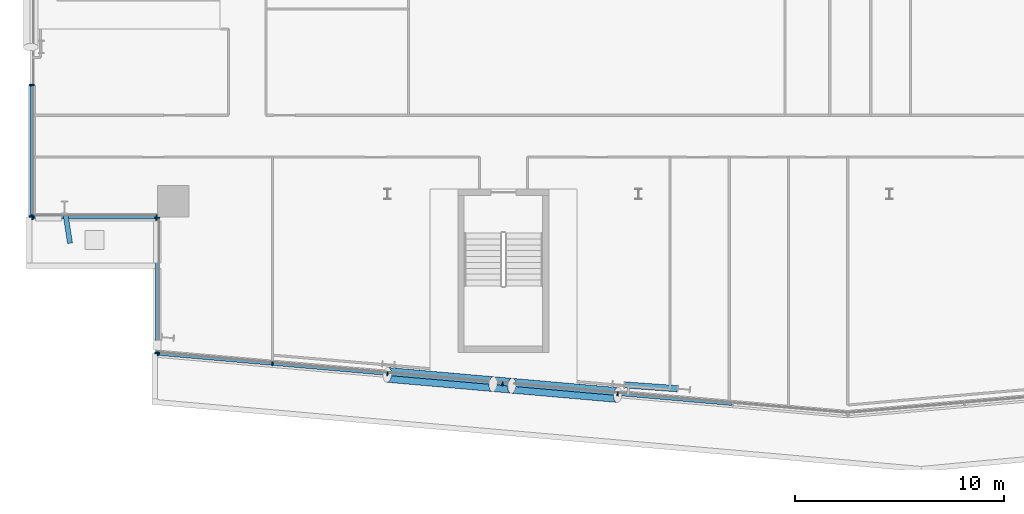
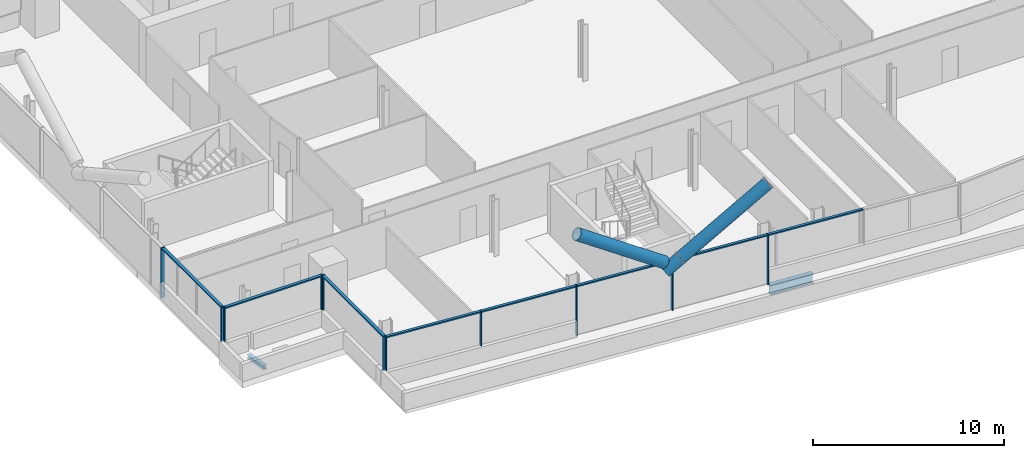
# One storey, part 6 of 30: 22 members, 2 beams, 4 elements without a shape of their own.
"""IFC4 building model written with IfcOpenShell, lengths in metres."""

from ifc_helpers import new_model, si_unit, direction, frame, origin, origin_2d, place, context, subcontext, project, spatial, rectangle, hollow_circle, i_section, extrude, material, material_profile, profile_set, type_object, element, aggregate, save


model = new_model("IFC4")

# Units and contexts
model_context = context("Model", 3, precision=1e-05, world=origin(), true_north=direction((0.0, 1.0)))
body_context = subcontext(model_context, "Body", "Model", "MODEL_VIEW")
ifc_project = project(units=[si_unit("LENGTHUNIT", "METRE"), si_unit("AREAUNIT", "SQUARE_METRE"), si_unit("VOLUMEUNIT", "CUBIC_METRE"), si_unit("PLANEANGLEUNIT", "RADIAN"), si_unit("MASSUNIT", "GRAM", prefix="KILO")], contexts=[model_context])

# Site, building, storey
site_placement = place(None, origin())
site = spatial("IfcSite", under=ifc_project, at=site_placement, CompositionType="ELEMENT")
building_placement = place(site_placement, origin())
building = spatial("IfcBuilding", under=site, at=building_placement, Name="Wharfspan Tower", CompositionType="ELEMENT")
storey_placement = place(building_placement, frame((0.0, 0.0, 151.899902)))
storey = spatial("IfcBuildingStorey", under=building, at=storey_placement, Name="L36", CompositionType="ELEMENT", Elevation=151.899902)

# Member
ifc_material_1 = material(Name="Steel S460NH", Category="steel")
ifc_material_profile_1 = material_profile(ifc_material_1, hollow_circle(Radius=0.355469, WallThickness=0.035889, at=origin_2d()))
ifc_profile_set_1 = profile_set([ifc_material_profile_1], Name="Steel S460NH")
member_type_1 = type_object("IfcMemberType", Name="Brace node tie CHS 711x36", PredefinedType="STRUT", material=ifc_profile_set_1)
member_1_placement = place(storey_placement, frame((29.051758, 2.415527, 2.609863), z_axis=(0.834463, -0.073041, 0.546202), x_axis=(0.087195, 0.996189, 3e-06)))
element("IfcMember", 1, at=member_1_placement, inside=storey, type_object=member_type_1, Name="Brace node tie L36 S1", PredefinedType="STRUT", context=body_context, shape_type="SweptSolid", body=[
    extrude(hollow_circle(Radius=0.355469, WallThickness=0.035889, at=origin_2d()), origin(), (0.0, 0.0, 1.0), 1.062988),
])

# Beams
ifc_material_2 = material(Name="Steel S355J2", Category="steel")
ifc_material_profile_2 = material_profile(ifc_material_2, i_section(OverallWidth=0.300049, OverallDepth=0.600098, WebThickness=0.015381, FlangeThickness=0.030029, FilletRadius=0.0271, at=origin_2d()))
ifc_profile_set_2 = profile_set([ifc_material_profile_2], Name="Steel S355J2")
beam_type_1 = type_object("IfcBeamType", Name="Edge beam HEB 600", PredefinedType="SPANDREL", material=ifc_profile_set_2)
beam_1_placement = place(storey_placement, frame((35.344482, 2.376709, -0.699951), z_axis=(0.997423, -0.07175, 0.0), x_axis=(0.07175, 0.997423, 0.0)))
element("IfcBeam", 2, at=beam_1_placement, inside=storey, type_object=beam_type_1, Name="Edge beam S1 L36 PS1.3 to PS1.4", PredefinedType="SPANDREL", context=body_context, shape_type="SweptSolid", body=[
    extrude(i_section(OverallWidth=0.300049, OverallDepth=0.600098, WebThickness=0.015381, FlangeThickness=0.030029, FilletRadius=0.0271, at=origin_2d()), origin(), (0.0, 0.0, 1.0), 2.518066),
])
ifc_material_profile_3 = material_profile(ifc_material_2, i_section(OverallWidth=0.23999, OverallDepth=0.23999, WebThickness=0.01001, FlangeThickness=0.01709, FilletRadius=0.020996, at=origin_2d()))
ifc_profile_set_3 = profile_set([ifc_material_profile_3], Name="Steel S355J2")
beam_type_2 = type_object("IfcBeamType", Name="Ledge edge beam HEB 240", PredefinedType="BEAM", material=ifc_profile_set_3)
beam_2_placement = place(storey_placement, frame((8.821533, 9.153564, -0.52002), z_axis=(-0.151599, 0.988442, 0.0), x_axis=(-0.988442, -0.151599, 0.0)))
element("IfcBeam", 3, at=beam_2_placement, inside=storey, type_object=beam_type_2, Name="Ledge edge beam", PredefinedType="BEAM", context=body_context, shape_type="SweptSolid", body=[
    extrude(i_section(OverallWidth=0.23999, OverallDepth=0.23999, WebThickness=0.01001, FlangeThickness=0.01709, FilletRadius=0.020996, at=origin_2d()), origin(), (0.0, 0.0, 1.0), 1.402588),
])

# Curtain wall, members
ifc_material_3 = material(Name="Aluminium 6063-T6", Category="aluminium")
curtain_wall_type_1 = type_object("IfcCurtainWallType", Name="CURTAIN WALL FACETED FRONT", PredefinedType="NOTDEFINED", material=ifc_material_3)
curtain_wall_1_placement = place(storey_placement, origin())
curtain_wall_1 = element("IfcCurtainWall", 4, at=curtain_wall_1_placement, inside=storey, type_object=curtain_wall_type_1, Name="Curtain wall S1", PredefinedType="NOTDEFINED")
ifc_material_profile_4 = material_profile(ifc_material_3, rectangle(XDim=0.199951, YDim=0.060059, at=origin_2d()))
ifc_profile_set_4 = profile_set([ifc_material_profile_4], Name="Aluminium 6063-T6")
member_type_2 = type_object("IfcMemberType", Name="MULLION FACETED FRONT 60x200", PredefinedType="MULLION", material=ifc_profile_set_4)
member_2_placement = place(storey_placement, frame((13.029785, 3.872559, 1.0), z_axis=(0.0, 0.0, 1.0), x_axis=(0.087156, 0.996198, 0.0)))
member_2 = element("IfcMember", 5, at=member_2_placement, type_object=member_type_2, Name="Curtain wall S1 mullion 1", PredefinedType="MULLION", context=body_context, shape_type="SweptSolid", body=[
    extrude(rectangle(XDim=0.199951, YDim=0.060059, at=origin_2d()), origin(), (0.0, 0.0, 1.0), 2.200195),
])
member_3_placement = place(storey_placement, frame((18.5, 3.393799, 1.0), z_axis=(0.0, 0.0, 1.0), x_axis=(0.087156, 0.996198, 0.0)))
member_3 = element("IfcMember", 6, at=member_3_placement, type_object=member_type_2, Name="Curtain wall S1 mullion 2", PredefinedType="MULLION", context=body_context, shape_type="SweptSolid", body=[
    extrude(rectangle(XDim=0.199951, YDim=0.060059, at=origin_2d()), origin(), (0.0, 0.0, 1.0), 2.200195),
])
member_4_placement = place(storey_placement, frame((24.0, 2.912598, 0.0), z_axis=(0.0, 0.0, 1.0), x_axis=(0.087156, 0.996198, 0.0)))
member_4 = element("IfcMember", 7, at=member_4_placement, type_object=member_type_2, Name="Curtain wall S1 mullion 3", PredefinedType="MULLION", context=body_context, shape_type="SweptSolid", body=[
    extrude(rectangle(XDim=0.199951, YDim=0.060059, at=origin_2d()), origin(), (0.0, 0.0, 1.0), 3.200195),
])
member_5_placement = place(storey_placement, frame((29.5, 2.431396, 0.0), z_axis=(0.0, 0.0, 1.0), x_axis=(0.087156, 0.996198, 0.0)))
member_5 = element("IfcMember", 8, at=member_5_placement, type_object=member_type_2, Name="Curtain wall S1 mullion 4", PredefinedType="MULLION", context=body_context, shape_type="SweptSolid", body=[
    extrude(rectangle(XDim=0.199951, YDim=0.060059, at=origin_2d()), origin(), (0.0, 0.0, 1.0), 3.200195),
])
member_6_placement = place(storey_placement, frame((35.0, 1.950195, 0.0), z_axis=(0.0, 0.0, 1.0), x_axis=(0.087156, 0.996198, 0.0)))
member_6 = element("IfcMember", 9, at=member_6_placement, type_object=member_type_2, Name="Curtain wall S1 mullion 5", PredefinedType="MULLION", context=body_context, shape_type="SweptSolid", body=[
    extrude(rectangle(XDim=0.199951, YDim=0.060059, at=origin_2d()), origin(), (0.0, 0.0, 1.0), 3.200195),
])

curtain_wall_type_2 = type_object("IfcCurtainWallType", Name="CURTAIN WALL PROW AND END", PredefinedType="NOTDEFINED", material=ifc_material_3)
curtain_wall_2_placement = place(storey_placement, origin())
curtain_wall_2 = element("IfcCurtainWall", 10, at=curtain_wall_2_placement, inside=storey, type_object=curtain_wall_type_2, Name="Curtain wall W", PredefinedType="NOTDEFINED")
ifc_material_profile_5 = material_profile(ifc_material_3, rectangle(XDim=0.23999, YDim=0.060059, at=origin_2d()))
ifc_profile_set_5 = profile_set([ifc_material_profile_5], Name="Aluminium 6063-T6")
member_type_3 = type_object("IfcMemberType", Name="MULLION PROW AND END 60x240", PredefinedType="MULLION", material=ifc_profile_set_5)
member_7_placement = place(storey_placement, frame((7.0, 16.719971, 0.0), z_axis=(0.0, 0.0, 1.0), x_axis=(1.0, 0.0, 0.0)))
member_7 = element("IfcMember", 11, at=member_7_placement, type_object=member_type_3, Name="Curtain wall W mullion 5", PredefinedType="MULLION", context=body_context, shape_type="SweptSolid", body=[
    extrude(rectangle(XDim=0.23999, YDim=0.060059, at=origin_2d()), origin(), (0.0, 0.0, 1.0), 3.200195),
])
member_8_placement = place(storey_placement, frame((7.0, 10.429932, 1.0), z_axis=(0.0, 0.0, 1.0), x_axis=(1.0, 0.0, 0.0)))
member_8 = element("IfcMember", 12, at=member_8_placement, type_object=member_type_3, Name="Curtain wall W mullion 6", PredefinedType="MULLION", context=body_context, shape_type="SweptSolid", body=[
    extrude(rectangle(XDim=0.23999, YDim=0.060059, at=origin_2d()), origin(), (0.0, 0.0, 1.0), 2.200195),
])

curtain_wall_3_placement = place(storey_placement, origin())
curtain_wall_3 = element("IfcCurtainWall", 13, at=curtain_wall_3_placement, inside=storey, type_object=curtain_wall_type_2, Name="Curtain wall NFW-H", PredefinedType="NOTDEFINED")
member_9_placement = place(storey_placement, frame((7.030029, 10.399902, 1.0), z_axis=(0.0, 0.0, 1.0), x_axis=(0.0, 1.0, 0.0)))
member_9 = element("IfcMember", 14, at=member_9_placement, type_object=member_type_3, Name="Curtain wall NFW-H mullion 1", PredefinedType="MULLION", context=body_context, shape_type="SweptSolid", body=[
    extrude(rectangle(XDim=0.23999, YDim=0.060059, at=origin_2d()), origin(), (0.0, 0.0, 1.0), 2.200195),
])
member_10_placement = place(storey_placement, frame((12.969971, 10.399902, 1.0), z_axis=(0.0, 0.0, 1.0), x_axis=(0.0, 1.0, 0.0)))
member_10 = element("IfcMember", 15, at=member_10_placement, type_object=member_type_3, Name="Curtain wall NFW-H mullion 2", PredefinedType="MULLION", context=body_context, shape_type="SweptSolid", body=[
    extrude(rectangle(XDim=0.23999, YDim=0.060059, at=origin_2d()), origin(), (0.0, 0.0, 1.0), 2.200195),
])

curtain_wall_4_placement = place(storey_placement, origin())
curtain_wall_4 = element("IfcCurtainWall", 16, at=curtain_wall_4_placement, inside=storey, type_object=curtain_wall_type_2, Name="Curtain wall NFW-V", PredefinedType="NOTDEFINED")
member_11_placement = place(storey_placement, frame((13.0, 10.370117, 1.0), z_axis=(0.0, 0.0, 1.0), x_axis=(1.0, 0.0, 0.0)))
member_11 = element("IfcMember", 17, at=member_11_placement, type_object=member_type_3, Name="Curtain wall NFW-V mullion 1", PredefinedType="MULLION", context=body_context, shape_type="SweptSolid", body=[
    extrude(rectangle(XDim=0.23999, YDim=0.060059, at=origin_2d()), origin(), (0.0, 0.0, 1.0), 2.200195),
])
member_12_placement = place(storey_placement, frame((13.0, 3.905029, 1.0), z_axis=(0.0, 0.0, 1.0), x_axis=(1.0, 0.0, 0.0)))
member_12 = element("IfcMember", 18, at=member_12_placement, type_object=member_type_3, Name="Curtain wall NFW-V mullion 2", PredefinedType="MULLION", context=body_context, shape_type="SweptSolid", body=[
    extrude(rectangle(XDim=0.23999, YDim=0.060059, at=origin_2d()), origin(), (0.0, 0.0, 1.0), 2.200195),
])

# Members
ifc_material_profile_6 = material_profile(ifc_material_1, hollow_circle(Radius=0.355469, WallThickness=0.035889, at=origin_2d()))
ifc_profile_set_6 = profile_set([ifc_material_profile_6], Name="Steel S460NH")
member_type_4 = type_object("IfcMemberType", Name="Mega brace CHS 711x36", PredefinedType="BRACE", material=ifc_profile_set_6)
for number, where, z_axis, x_axis, name in (
    (19, (29.947021, 2.337158, 3.195801), (0.834469, -0.073006, 0.546197), (0.087156, 0.996198, -1e-06), "Mega brace S1 L36 part 2"),
    (20, (29.043213, 2.41626, 3.195801), (-0.834469, 0.073006, 0.546197), (-0.087156, -0.996198, -1e-06), "Mega brace S1 L36 part 4"),
):
    element("IfcMember", number, at=place(storey_placement, frame(where, z_axis=z_axis, x_axis=x_axis)), inside=storey, type_object=member_type_4, Name=name, PredefinedType="BRACE", context=body_context, shape_type="SweptSolid", body=[
        extrude(hollow_circle(Radius=0.355469, WallThickness=0.035889, at=origin_2d()), origin(), (0.0, 0.0, 1.0), 6.049561),
    ])

# Member
ifc_material_profile_7 = material_profile(ifc_material_3, rectangle(XDim=0.159912, YDim=0.080078, at=origin_2d()))
ifc_profile_set_7 = profile_set([ifc_material_profile_7], Name="Aluminium 6063-T6")
member_type_5 = type_object("IfcMemberType", Name="TRANSOM FACETED FRONT 80x160", PredefinedType="USERDEFINED", material=ifc_profile_set_7)
member_13_placement = place(storey_placement, frame((13.059814, 3.869873, 3.160156), z_axis=(0.996194, -0.087163, 0.0), x_axis=(0.087163, 0.996194, 0.0)))
member_13 = element("IfcMember", 21, at=member_13_placement, type_object=member_type_5, Name="Curtain wall S1 transom 1", ObjectType="TRANSOM", PredefinedType="USERDEFINED", context=body_context, shape_type="SweptSolid", body=[
    extrude(rectangle(XDim=0.159912, YDim=0.080078, at=origin_2d()), origin(), (0.0, 0.0, 1.0), 5.431152),
])

member_14_placement = place(storey_placement, frame((18.529785, 3.391357, 3.160156), z_axis=(0.996193, -0.087174, 0.0), x_axis=(0.087174, 0.996193, 0.0)))
member_14 = element("IfcMember", 22, at=member_14_placement, type_object=member_type_5, Name="Curtain wall S1 transom 2", ObjectType="TRANSOM", PredefinedType="USERDEFINED", context=body_context, shape_type="SweptSolid", body=[
    extrude(rectangle(XDim=0.159912, YDim=0.080078, at=origin_2d()), origin(), (0.0, 0.0, 1.0), 5.461182),
])

member_15_placement = place(storey_placement, frame((24.029785, 2.910156, 3.160156), z_axis=(0.996193, -0.087174, 0.0), x_axis=(0.087174, 0.996193, 0.0)))
member_15 = element("IfcMember", 23, at=member_15_placement, type_object=member_type_5, Name="Curtain wall S1 transom 3", ObjectType="TRANSOM", PredefinedType="USERDEFINED", context=body_context, shape_type="SweptSolid", body=[
    extrude(rectangle(XDim=0.159912, YDim=0.080078, at=origin_2d()), origin(), (0.0, 0.0, 1.0), 5.461182),
])

member_16_placement = place(storey_placement, frame((29.529785, 2.428955, 3.160156), z_axis=(0.996193, -0.087174, 0.0), x_axis=(0.087174, 0.996193, 0.0)))
member_16 = element("IfcMember", 24, at=member_16_placement, type_object=member_type_5, Name="Curtain wall S1 transom 4", ObjectType="TRANSOM", PredefinedType="USERDEFINED", context=body_context, shape_type="SweptSolid", body=[
    extrude(rectangle(XDim=0.159912, YDim=0.080078, at=origin_2d()), origin(), (0.0, 0.0, 1.0), 5.461182),
])

member_17_placement = place(storey_placement, frame((35.029785, 1.947754, 3.160156), z_axis=(0.996193, -0.087174, 0.0), x_axis=(0.087174, 0.996193, 0.0)))
member_17 = element("IfcMember", 25, at=member_17_placement, type_object=member_type_5, Name="Curtain wall S1 transom 5", ObjectType="TRANSOM", PredefinedType="USERDEFINED", context=body_context, shape_type="SweptSolid", body=[
    extrude(rectangle(XDim=0.159912, YDim=0.080078, at=origin_2d()), origin(), (0.0, 0.0, 1.0), 5.461182),
])

aggregate(curtain_wall_1, [member_2, member_3, member_4, member_5, member_6, member_13, member_14, member_15, member_16, member_17])

ifc_material_profile_8 = material_profile(ifc_material_3, rectangle(XDim=0.179932, YDim=0.080078, at=origin_2d()))
ifc_profile_set_8 = profile_set([ifc_material_profile_8], Name="Aluminium 6063-T6")
member_type_6 = type_object("IfcMemberType", Name="TRANSOM PROW AND END 80x180", PredefinedType="USERDEFINED", material=ifc_profile_set_8)
member_18_placement = place(storey_placement, frame((7.0, 16.689941, 3.160156), z_axis=(0.0, -1.0, 0.0), x_axis=(1.0, 0.0, 0.0)))
member_18 = element("IfcMember", 26, at=member_18_placement, type_object=member_type_6, Name="Curtain wall W transom 5", ObjectType="TRANSOM", PredefinedType="USERDEFINED", context=body_context, shape_type="SweptSolid", body=[
    extrude(rectangle(XDim=0.179932, YDim=0.080078, at=origin_2d()), origin(), (0.0, 0.0, 1.0), 6.22998),
])

aggregate(curtain_wall_2, [member_7, member_8, member_18])

member_19_placement = place(storey_placement, frame((7.060059, 10.399902, 3.160156), z_axis=(1.0, 0.0, 0.0), x_axis=(0.0, 1.0, 0.0)))
member_19 = element("IfcMember", 27, at=member_19_placement, type_object=member_type_6, Name="Curtain wall NFW-H transom 1", ObjectType="TRANSOM", PredefinedType="USERDEFINED", context=body_context, shape_type="SweptSolid", body=[
    extrude(rectangle(XDim=0.179932, YDim=0.080078, at=origin_2d()), origin(), (0.0, 0.0, 1.0), 5.879883),
])

aggregate(curtain_wall_3, [member_9, member_10, member_19])

member_20_placement = place(storey_placement, frame((13.0, 10.340088, 3.160156), z_axis=(0.0, -1.0, 0.0), x_axis=(1.0, 0.0, 0.0)))
member_20 = element("IfcMember", 28, at=member_20_placement, type_object=member_type_6, Name="Curtain wall NFW-V transom 1", ObjectType="TRANSOM", PredefinedType="USERDEFINED", context=body_context, shape_type="SweptSolid", body=[
    extrude(rectangle(XDim=0.179932, YDim=0.080078, at=origin_2d()), origin(), (0.0, 0.0, 1.0), 6.405029),
])

aggregate(curtain_wall_4, [member_11, member_12, member_20])

save(model, "model.ifc")
